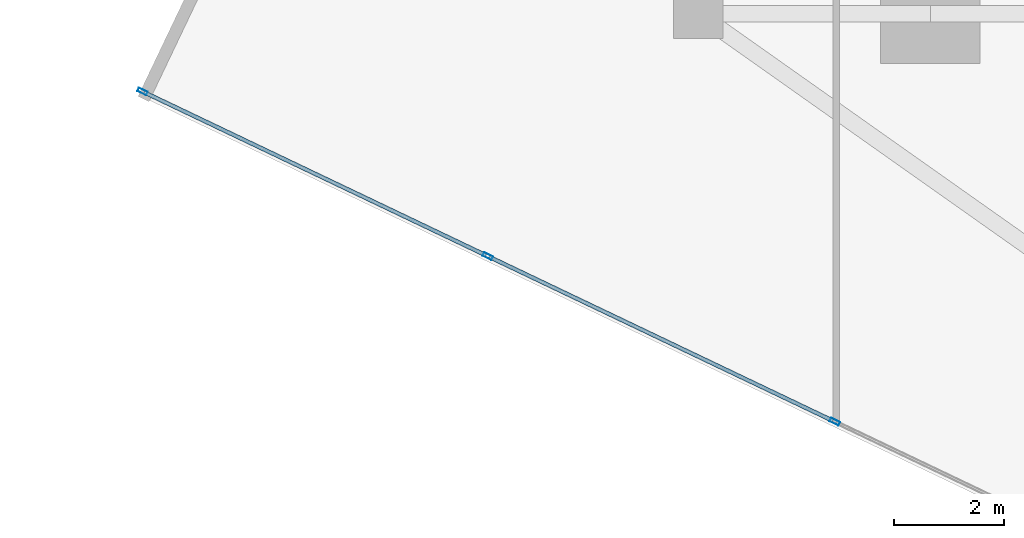
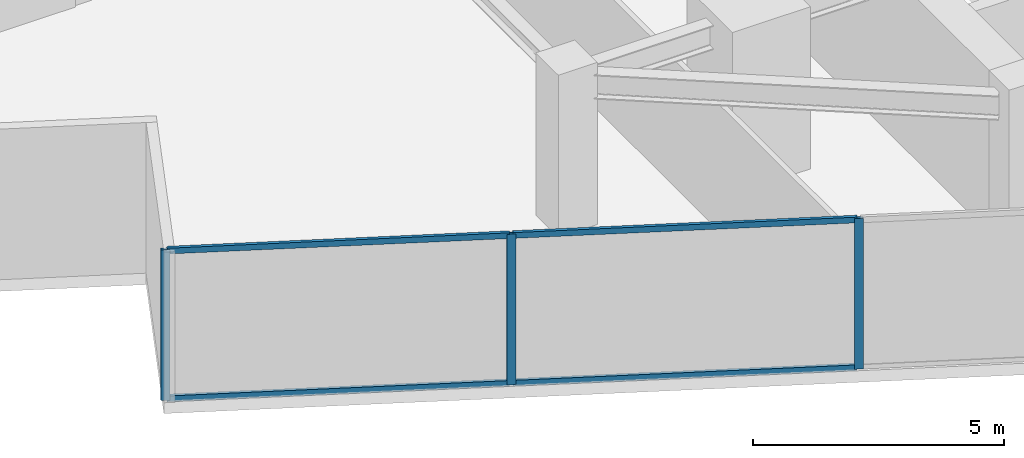
# One storey, part 2 of 25: 7 members, 1 element without a shape of its own.
"""IFC4 building model written with IfcOpenShell, lengths in metres."""

from ifc_helpers import new_model, si_unit, direction, frame, origin, origin_2d, place, context, subcontext, project, spatial, hollow_rectangle, extrude, source, transform, mapped, material, material_profile, profile_set, type_object, type_shapes, element, aggregate, save


model = new_model("IFC4")

# Units and contexts
model_context = context("Model", 3, precision=1e-05, world=origin(), true_north=direction((0.0, 1.0)))
body_context = subcontext(model_context, "Body", "Model", "MODEL_VIEW")
ifc_project = project(units=[si_unit("LENGTHUNIT", "METRE"), si_unit("AREAUNIT", "SQUARE_METRE"), si_unit("VOLUMEUNIT", "CUBIC_METRE"), si_unit("PLANEANGLEUNIT", "RADIAN"), si_unit("MASSUNIT", "GRAM", prefix="KILO")], contexts=[model_context])

# Site, building, storey
site_placement = place(None, origin())
site = spatial("IfcSite", under=ifc_project, at=site_placement, CompositionType="ELEMENT")
building_placement = place(site_placement, origin())
building = spatial("IfcBuilding", under=site, at=building_placement, Name="Krantzveldt Concourse Tower", CompositionType="ELEMENT")
storey_placement = place(building_placement, frame((0.0, 0.0, 146.199951171875)))
storey = spatial("IfcBuildingStorey", under=building, at=storey_placement, Name="L35", CompositionType="ELEMENT", Elevation=146.199951171875)

# Curtain wall, members
ifc_material = material(Name="Anodised aluminium 6063-T6", Category="aluminium")
curtain_wall_type = type_object("IfcCurtainWallType", Name="CW3", PredefinedType="USERDEFINED", material=ifc_material)
curtain_wall_placement = place(storey_placement, origin())
curtain_wall = element("IfcCurtainWall", 1, at=curtain_wall_placement, inside=storey, type_object=curtain_wall_type, Name="CW-L35-F04", ObjectType="UNITISED CURTAIN WALL", PredefinedType="USERDEFINED")
ifc_material_profile_1 = material_profile(ifc_material, hollow_rectangle(XDim=0.070068359375, YDim=0.179931640625, WallThickness=0.0048828125, at=origin_2d()), Name="Anodised aluminium 6063-T6", Category="aluminium")
ifc_profile_set_1 = profile_set([ifc_material_profile_1], Name="Anodised aluminium 6063-T6 - ALU-MULL 180x70x5")
member_type_1 = type_object("IfcMemberType", Name="CW-MUL-180", PredefinedType="MULLION", material=ifc_profile_set_1)
shared_shape_1 = source(origin(), body_context, "Body", "SweptSolid", [
    extrude(hollow_rectangle(XDim=0.070068359375, YDim=0.179931640625, WallThickness=0.0048828125, at=origin_2d()), origin(), (0.0, 0.0, 1.0), 3.670166015625),
])
type_shapes(member_type_1, [shared_shape_1])
member_1_placement = place(storey_placement, frame((10.937255859375, 14.490478515625, 0.0), z_axis=(0.0, 0.0, 1.0), x_axis=(0.430511162987, 0.902585252784, 0.0)))
member_1 = element("IfcMember", 2, at=member_1_placement, type_object=member_type_1, Name="CW-Z34 mullion 1", PredefinedType="MULLION", context=body_context, shape_type="MappedRepresentation", body=[
    mapped(shared_shape_1, transform((0.0, 0.0, 0.0), x_axis=(1.0, 0.0, 0.0), y_axis=(0.0, 1.0, 0.0), z_axis=(0.0, 0.0, 1.0), scale=1.0)),
])
member_2_placement = place(storey_placement, frame((17.1875, 11.509033203125, 0.0), z_axis=(0.0, 0.0, 1.0), x_axis=(0.430511162987, 0.902585252784, 0.0)))
member_2 = element("IfcMember", 3, at=member_2_placement, type_object=member_type_1, Name="CW-Z34 mullion 2", PredefinedType="MULLION", context=body_context, shape_type="MappedRepresentation", body=[
    mapped(shared_shape_1, transform((0.0, 0.0, 0.0), x_axis=(1.0, 0.0, 0.0), y_axis=(0.0, 1.0, 0.0), z_axis=(0.0, 0.0, 1.0), scale=1.0)),
])
member_3_placement = place(storey_placement, frame((23.469482421875, 8.5126953125, 0.0), z_axis=(0.0, 0.0, 1.0), x_axis=(0.430511162987, 0.902585252784, 0.0)))
member_3 = element("IfcMember", 4, at=member_3_placement, type_object=member_type_1, Name="CW-Z34 mullion 3", PredefinedType="MULLION", context=body_context, shape_type="MappedRepresentation", body=[
    mapped(shared_shape_1, transform((0.0, 0.0, 0.0), x_axis=(1.0, 0.0, 0.0), y_axis=(0.0, 1.0, 0.0), z_axis=(0.0, 0.0, 1.0), scale=1.0)),
])
ifc_material_profile_2 = material_profile(ifc_material, hollow_rectangle(XDim=0.070068359375, YDim=0.139892578125, WallThickness=0.0048828125, at=origin_2d()), Name="Anodised aluminium 6063-T6", Category="aluminium")
ifc_profile_set_2 = profile_set([ifc_material_profile_2], Name="Anodised aluminium 6063-T6 - ALU-TRAN 140x70x5")
member_type_2 = type_object("IfcMemberType", Name="CW-TRN-150", PredefinedType="USERDEFINED", material=ifc_profile_set_2)
shared_shape_2 = source(origin(), body_context, "Body", "SweptSolid", [
    extrude(hollow_rectangle(XDim=0.070068359375, YDim=0.139892578125, WallThickness=0.0048828125, at=origin_2d()), origin(), (0.0, 0.0, 1.0), 6.85498046875),
])
member_4_placement = place(storey_placement, frame((10.96875, 14.475341796875, 0.03515625), z_axis=(0.902585158764, -0.430511360105, 0.0), x_axis=(0.430511360105, 0.902585158764, 0.0)))
member_4 = element("IfcMember", 5, at=member_4_placement, type_object=member_type_2, Name="CW-Z34 transom 1.1", ObjectType="TRANSOM", PredefinedType="USERDEFINED", context=body_context, shape_type="MappedRepresentation", body=[
    mapped(shared_shape_2, transform((0.0, 0.0, 0.0), x_axis=(1.0, 0.0, 0.0), y_axis=(0.0, 1.0, 0.0), z_axis=(0.0, 0.0, 1.0), scale=1.0)),
])
member_5_placement = place(storey_placement, frame((10.96875, 14.475341796875, 3.635009765625), z_axis=(0.902585158764, -0.430511360105, 0.0), x_axis=(0.430511360105, 0.902585158764, 0.0)))
member_5 = element("IfcMember", 6, at=member_5_placement, type_object=member_type_2, Name="CW-Z34 transom 1.2", ObjectType="TRANSOM", PredefinedType="USERDEFINED", context=body_context, shape_type="MappedRepresentation", body=[
    mapped(shared_shape_2, transform((0.0, 0.0, 0.0), x_axis=(1.0, 0.0, 0.0), y_axis=(0.0, 1.0, 0.0), z_axis=(0.0, 0.0, 1.0), scale=1.0)),
])
shared_shape_3 = source(origin(), body_context, "Body", "SweptSolid", [
    extrude(hollow_rectangle(XDim=0.070068359375, YDim=0.139892578125, WallThickness=0.0048828125, at=origin_2d()), origin(), (0.0, 0.0, 1.0), 6.889892578125),
])
type_shapes(member_type_2, [shared_shape_2, shared_shape_3])
member_6_placement = place(storey_placement, frame((17.21923828125, 11.494140625, 0.03515625), z_axis=(0.902578685829, -0.430524930623, 0.0), x_axis=(0.430524930623, 0.902578685829, 0.0)))
member_6 = element("IfcMember", 7, at=member_6_placement, type_object=member_type_2, Name="CW-Z34 transom 2.1", ObjectType="TRANSOM", PredefinedType="USERDEFINED", context=body_context, shape_type="MappedRepresentation", body=[
    mapped(shared_shape_3, transform((0.0, 0.0, 0.0), x_axis=(1.0, 0.0, 0.0), y_axis=(0.0, 1.0, 0.0), z_axis=(0.0, 0.0, 1.0), scale=1.0)),
])
member_7_placement = place(storey_placement, frame((17.21923828125, 11.494140625, 3.635009765625), z_axis=(0.902578685829, -0.430524930623, 0.0), x_axis=(0.430524930623, 0.902578685829, 0.0)))
member_7 = element("IfcMember", 8, at=member_7_placement, type_object=member_type_2, Name="CW-Z34 transom 2.2", ObjectType="TRANSOM", PredefinedType="USERDEFINED", context=body_context, shape_type="MappedRepresentation", body=[
    mapped(shared_shape_3, transform((0.0, 0.0, 0.0), x_axis=(1.0, 0.0, 0.0), y_axis=(0.0, 1.0, 0.0), z_axis=(0.0, 0.0, 1.0), scale=1.0)),
])
aggregate(curtain_wall, [member_1, member_2, member_3, member_4, member_5, member_6, member_7])

save(model, "model.ifc")
